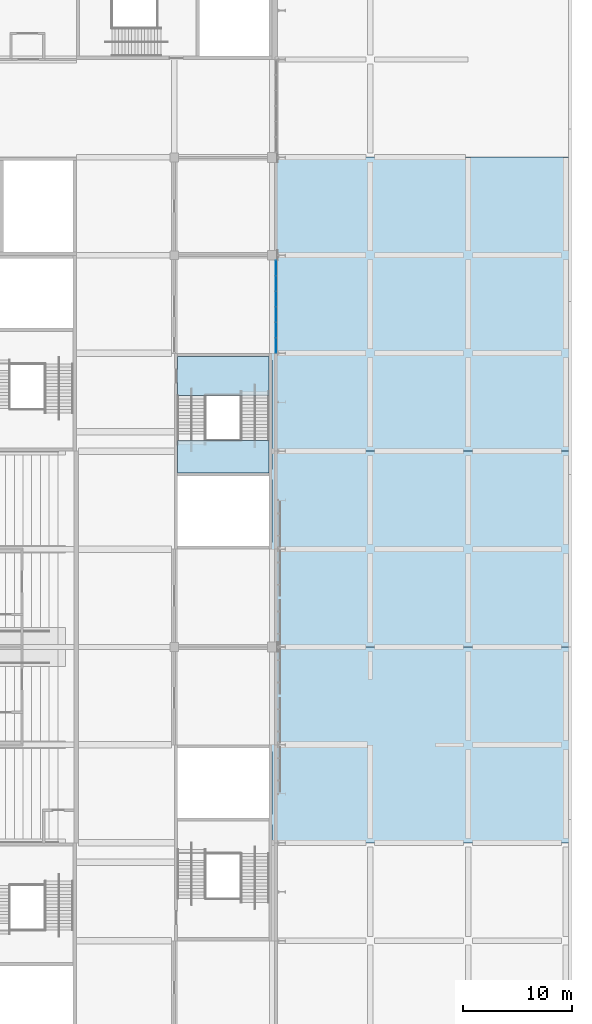
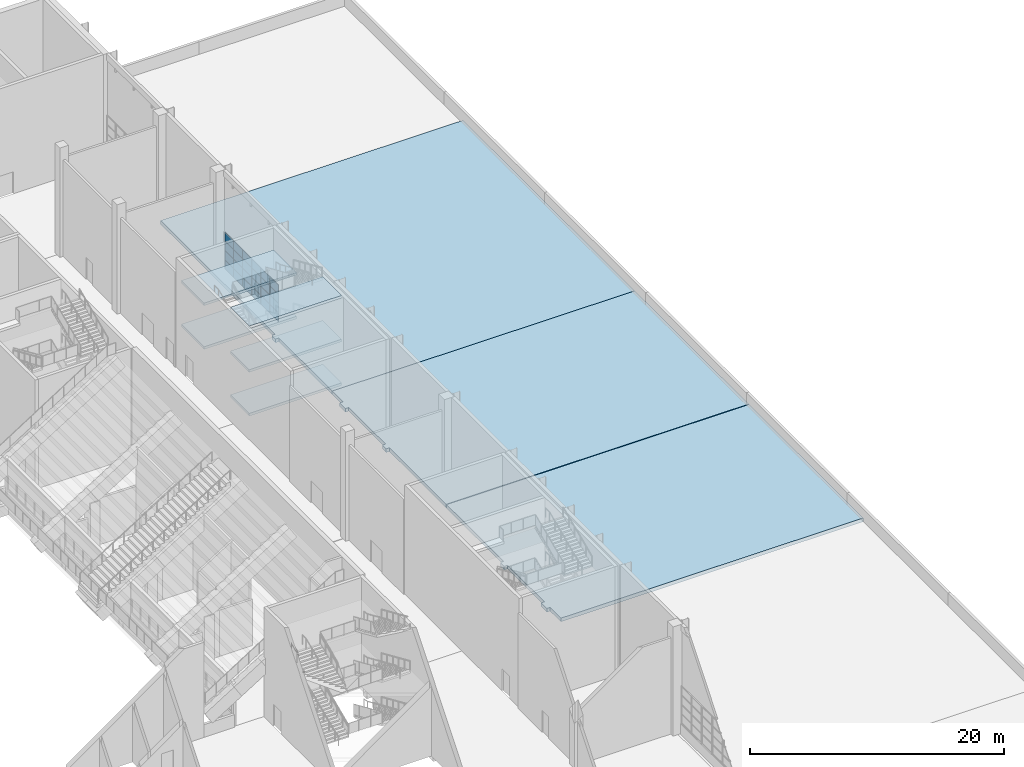
# One storey, part 76 of 182: 24 plates, 8 slabs, 2 elements without a shape of their own.
"""IFC4 building model written with IfcOpenShell, lengths in metres."""

from ifc_helpers import new_model, si_unit, direction, frame, origin, origin_2d, place, context, subcontext, project, spatial, polyline, rectangle, outline, extrude, material, layer, layer_set, type_object, element, aggregate, save


model = new_model("IFC4")

# Units and contexts
model_context = context("Model", 3, precision=1e-05, world=origin(), true_north=direction((0.0, 1.0)))
body_context = subcontext(model_context, "Body", "Model", "MODEL_VIEW")
ifc_project = project(units=[si_unit("LENGTHUNIT", "METRE"), si_unit("AREAUNIT", "SQUARE_METRE"), si_unit("VOLUMEUNIT", "CUBIC_METRE"), si_unit("PLANEANGLEUNIT", "RADIAN"), si_unit("MASSUNIT", "GRAM", prefix="KILO")], contexts=[model_context])

# Site, building, storey
site_placement = place(None, origin())
site = spatial("IfcSite", under=ifc_project, at=site_placement, CompositionType="ELEMENT")
building_placement = place(site_placement, origin())
building = spatial("IfcBuilding", under=site, at=building_placement, Name="Silverbay Arena", CompositionType="ELEMENT")
storey_placement = place(building_placement, frame((0.0, 0.0, 11.5)))
storey = spatial("IfcBuildingStorey", under=building, at=storey_placement, Name="L02", CompositionType="ELEMENT", Elevation=11.5)

# Curtain wall, plates
ifc_material_1 = material(Name="Aluminium framed curtain wall", Category="aluminium")
curtain_wall_type = type_object("IfcCurtainWallType", Name="Curtain wall 8550 x 3600", PredefinedType="NOTDEFINED", material=ifc_material_1)
curtain_wall_placement = place(storey_placement, origin())
curtain_wall = element("IfcCurtainWall", 1, at=curtain_wall_placement, inside=storey, type_object=curtain_wall_type, Name="East curtain wall L02 bay 11", PredefinedType="NOTDEFINED")
ifc_material_2 = material(Name="Laminated glass", Category="glass")
ifc_layer_1 = layer(ifc_material_2, 0.035888671875)
ifc_layer_set_1 = layer_set([ifc_layer_1], Name="Laminated glass")
plate_type = type_object("IfcPlateType", Name="Glass panel 36", PredefinedType="CURTAIN_PANEL", material=ifc_layer_set_1)
plate_1_placement = place(storey_placement, frame((207.35009765625, 108.7275390625, 1.0498046875), z_axis=(0.0, 0.0, 1.0), x_axis=(0.0, 1.0, 0.0)))
plate_1 = element("IfcPlate", 2, at=plate_1_placement, type_object=plate_type, Name="CW10 panel 1.1", PredefinedType="CURTAIN_PANEL", context=body_context, shape_type="SweptSolid", body=[
    extrude(rectangle(XDim=1.3349609375, YDim=0.035888671875, at=origin_2d()), origin(), (0.0, 0.0, 1.0), 0.824951171875),
])
plate_2_placement = place(storey_placement, frame((207.35009765625, 108.7275390625, 1.925048828125), z_axis=(0.0, 0.0, 1.0), x_axis=(0.0, 1.0, 0.0)))
plate_2 = element("IfcPlate", 3, at=plate_2_placement, type_object=plate_type, Name="CW10 panel 1.2", PredefinedType="CURTAIN_PANEL", context=body_context, shape_type="SweptSolid", body=[
    extrude(rectangle(XDim=1.3349609375, YDim=0.035888671875, at=origin_2d()), origin(), (0.0, 0.0, 1.0), 0.85009765625),
])
plate_3_placement = place(storey_placement, frame((207.35009765625, 108.7275390625, 2.824951171875), z_axis=(0.0, 0.0, 1.0), x_axis=(0.0, 1.0, 0.0)))
plate_3 = element("IfcPlate", 4, at=plate_3_placement, type_object=plate_type, Name="CW10 panel 1.3", PredefinedType="CURTAIN_PANEL", context=body_context, shape_type="SweptSolid", body=[
    extrude(rectangle(XDim=1.3349609375, YDim=0.035888671875, at=origin_2d()), origin(), (0.0, 0.0, 1.0), 0.85009765625),
])
plate_4_placement = place(storey_placement, frame((207.35009765625, 108.7275390625, 3.72509765625), z_axis=(0.0, 0.0, 1.0), x_axis=(0.0, 1.0, 0.0)))
plate_4 = element("IfcPlate", 5, at=plate_4_placement, type_object=plate_type, Name="CW10 panel 1.4", PredefinedType="CURTAIN_PANEL", context=body_context, shape_type="SweptSolid", body=[
    extrude(rectangle(XDim=1.3349609375, YDim=0.035888671875, at=origin_2d()), origin(), (0.0, 0.0, 1.0), 0.824951171875),
])
plate_5_placement = place(storey_placement, frame((207.35009765625, 110.137451171875, 1.0498046875), z_axis=(0.0, 0.0, 1.0), x_axis=(0.0, 1.0, 0.0)))
plate_5 = element("IfcPlate", 6, at=plate_5_placement, type_object=plate_type, Name="CW10 panel 2.1", PredefinedType="CURTAIN_PANEL", context=body_context, shape_type="SweptSolid", body=[
    extrude(rectangle(XDim=1.364990234375, YDim=0.035888671875, at=origin_2d()), origin(), (0.0, 0.0, 1.0), 0.824951171875),
])
plate_6_placement = place(storey_placement, frame((207.35009765625, 110.137451171875, 1.925048828125), z_axis=(0.0, 0.0, 1.0), x_axis=(0.0, 1.0, 0.0)))
plate_6 = element("IfcPlate", 7, at=plate_6_placement, type_object=plate_type, Name="CW10 panel 2.2", PredefinedType="CURTAIN_PANEL", context=body_context, shape_type="SweptSolid", body=[
    extrude(rectangle(XDim=1.364990234375, YDim=0.035888671875, at=origin_2d()), origin(), (0.0, 0.0, 1.0), 0.85009765625),
])
plate_7_placement = place(storey_placement, frame((207.35009765625, 110.137451171875, 2.824951171875), z_axis=(0.0, 0.0, 1.0), x_axis=(0.0, 1.0, 0.0)))
plate_7 = element("IfcPlate", 8, at=plate_7_placement, type_object=plate_type, Name="CW10 panel 2.3", PredefinedType="CURTAIN_PANEL", context=body_context, shape_type="SweptSolid", body=[
    extrude(rectangle(XDim=1.364990234375, YDim=0.035888671875, at=origin_2d()), origin(), (0.0, 0.0, 1.0), 0.85009765625),
])
plate_8_placement = place(storey_placement, frame((207.35009765625, 110.137451171875, 3.72509765625), z_axis=(0.0, 0.0, 1.0), x_axis=(0.0, 1.0, 0.0)))
plate_8 = element("IfcPlate", 9, at=plate_8_placement, type_object=plate_type, Name="CW10 panel 2.4", PredefinedType="CURTAIN_PANEL", context=body_context, shape_type="SweptSolid", body=[
    extrude(rectangle(XDim=1.364990234375, YDim=0.035888671875, at=origin_2d()), origin(), (0.0, 0.0, 1.0), 0.824951171875),
])
plate_9_placement = place(storey_placement, frame((207.35009765625, 111.5625, 1.0498046875), z_axis=(0.0, 0.0, 1.0), x_axis=(0.0, 1.0, 0.0)))
plate_9 = element("IfcPlate", 10, at=plate_9_placement, type_object=plate_type, Name="CW10 panel 3.1", PredefinedType="CURTAIN_PANEL", context=body_context, shape_type="SweptSolid", body=[
    extrude(rectangle(XDim=1.364990234375, YDim=0.035888671875, at=origin_2d()), origin(), (0.0, 0.0, 1.0), 0.824951171875),
])
plate_10_placement = place(storey_placement, frame((207.35009765625, 111.5625, 1.925048828125), z_axis=(0.0, 0.0, 1.0), x_axis=(0.0, 1.0, 0.0)))
plate_10 = element("IfcPlate", 11, at=plate_10_placement, type_object=plate_type, Name="CW10 panel 3.2", PredefinedType="CURTAIN_PANEL", context=body_context, shape_type="SweptSolid", body=[
    extrude(rectangle(XDim=1.364990234375, YDim=0.035888671875, at=origin_2d()), origin(), (0.0, 0.0, 1.0), 0.85009765625),
])
plate_11_placement = place(storey_placement, frame((207.35009765625, 111.5625, 2.824951171875), z_axis=(0.0, 0.0, 1.0), x_axis=(0.0, 1.0, 0.0)))
plate_11 = element("IfcPlate", 12, at=plate_11_placement, type_object=plate_type, Name="CW10 panel 3.3", PredefinedType="CURTAIN_PANEL", context=body_context, shape_type="SweptSolid", body=[
    extrude(rectangle(XDim=1.364990234375, YDim=0.035888671875, at=origin_2d()), origin(), (0.0, 0.0, 1.0), 0.85009765625),
])
plate_12_placement = place(storey_placement, frame((207.35009765625, 111.5625, 3.72509765625), z_axis=(0.0, 0.0, 1.0), x_axis=(0.0, 1.0, 0.0)))
plate_12 = element("IfcPlate", 13, at=plate_12_placement, type_object=plate_type, Name="CW10 panel 3.4", PredefinedType="CURTAIN_PANEL", context=body_context, shape_type="SweptSolid", body=[
    extrude(rectangle(XDim=1.364990234375, YDim=0.035888671875, at=origin_2d()), origin(), (0.0, 0.0, 1.0), 0.824951171875),
])
plate_13_placement = place(storey_placement, frame((207.35009765625, 112.987548828125, 1.0498046875), z_axis=(0.0, 0.0, 1.0), x_axis=(0.0, 1.0, 0.0)))
plate_13 = element("IfcPlate", 14, at=plate_13_placement, type_object=plate_type, Name="CW10 panel 4.1", PredefinedType="CURTAIN_PANEL", context=body_context, shape_type="SweptSolid", body=[
    extrude(rectangle(XDim=1.364990234375, YDim=0.035888671875, at=origin_2d()), origin(), (0.0, 0.0, 1.0), 0.824951171875),
])
plate_14_placement = place(storey_placement, frame((207.35009765625, 112.987548828125, 1.925048828125), z_axis=(0.0, 0.0, 1.0), x_axis=(0.0, 1.0, 0.0)))
plate_14 = element("IfcPlate", 15, at=plate_14_placement, type_object=plate_type, Name="CW10 panel 4.2", PredefinedType="CURTAIN_PANEL", context=body_context, shape_type="SweptSolid", body=[
    extrude(rectangle(XDim=1.364990234375, YDim=0.035888671875, at=origin_2d()), origin(), (0.0, 0.0, 1.0), 0.85009765625),
])
plate_15_placement = place(storey_placement, frame((207.35009765625, 112.987548828125, 2.824951171875), z_axis=(0.0, 0.0, 1.0), x_axis=(0.0, 1.0, 0.0)))
plate_15 = element("IfcPlate", 16, at=plate_15_placement, type_object=plate_type, Name="CW10 panel 4.3", PredefinedType="CURTAIN_PANEL", context=body_context, shape_type="SweptSolid", body=[
    extrude(rectangle(XDim=1.364990234375, YDim=0.035888671875, at=origin_2d()), origin(), (0.0, 0.0, 1.0), 0.85009765625),
])
plate_16_placement = place(storey_placement, frame((207.35009765625, 112.987548828125, 3.72509765625), z_axis=(0.0, 0.0, 1.0), x_axis=(0.0, 1.0, 0.0)))
plate_16 = element("IfcPlate", 17, at=plate_16_placement, type_object=plate_type, Name="CW10 panel 4.4", PredefinedType="CURTAIN_PANEL", context=body_context, shape_type="SweptSolid", body=[
    extrude(rectangle(XDim=1.364990234375, YDim=0.035888671875, at=origin_2d()), origin(), (0.0, 0.0, 1.0), 0.824951171875),
])
plate_17_placement = place(storey_placement, frame((207.35009765625, 114.41259765625, 1.0498046875), z_axis=(0.0, 0.0, 1.0), x_axis=(0.0, 1.0, 0.0)))
plate_17 = element("IfcPlate", 18, at=plate_17_placement, type_object=plate_type, Name="CW10 panel 5.1", PredefinedType="CURTAIN_PANEL", context=body_context, shape_type="SweptSolid", body=[
    extrude(rectangle(XDim=1.364990234375, YDim=0.035888671875, at=origin_2d()), origin(), (0.0, 0.0, 1.0), 0.824951171875),
])
plate_18_placement = place(storey_placement, frame((207.35009765625, 114.41259765625, 1.925048828125), z_axis=(0.0, 0.0, 1.0), x_axis=(0.0, 1.0, 0.0)))
plate_18 = element("IfcPlate", 19, at=plate_18_placement, type_object=plate_type, Name="CW10 panel 5.2", PredefinedType="CURTAIN_PANEL", context=body_context, shape_type="SweptSolid", body=[
    extrude(rectangle(XDim=1.364990234375, YDim=0.035888671875, at=origin_2d()), origin(), (0.0, 0.0, 1.0), 0.85009765625),
])
plate_19_placement = place(storey_placement, frame((207.35009765625, 114.41259765625, 2.824951171875), z_axis=(0.0, 0.0, 1.0), x_axis=(0.0, 1.0, 0.0)))
plate_19 = element("IfcPlate", 20, at=plate_19_placement, type_object=plate_type, Name="CW10 panel 5.3", PredefinedType="CURTAIN_PANEL", context=body_context, shape_type="SweptSolid", body=[
    extrude(rectangle(XDim=1.364990234375, YDim=0.035888671875, at=origin_2d()), origin(), (0.0, 0.0, 1.0), 0.85009765625),
])
plate_20_placement = place(storey_placement, frame((207.35009765625, 114.41259765625, 3.72509765625), z_axis=(0.0, 0.0, 1.0), x_axis=(0.0, 1.0, 0.0)))
plate_20 = element("IfcPlate", 21, at=plate_20_placement, type_object=plate_type, Name="CW10 panel 5.4", PredefinedType="CURTAIN_PANEL", context=body_context, shape_type="SweptSolid", body=[
    extrude(rectangle(XDim=1.364990234375, YDim=0.035888671875, at=origin_2d()), origin(), (0.0, 0.0, 1.0), 0.824951171875),
])
plate_21_placement = place(storey_placement, frame((207.35009765625, 115.822509765625, 1.0498046875), z_axis=(0.0, 0.0, 1.0), x_axis=(0.0, 1.0, 0.0)))
plate_21 = element("IfcPlate", 22, at=plate_21_placement, type_object=plate_type, Name="CW10 panel 6.1", PredefinedType="CURTAIN_PANEL", context=body_context, shape_type="SweptSolid", body=[
    extrude(rectangle(XDim=1.3349609375, YDim=0.035888671875, at=origin_2d()), origin(), (0.0, 0.0, 1.0), 0.824951171875),
])
plate_22_placement = place(storey_placement, frame((207.35009765625, 115.822509765625, 1.925048828125), z_axis=(0.0, 0.0, 1.0), x_axis=(0.0, 1.0, 0.0)))
plate_22 = element("IfcPlate", 23, at=plate_22_placement, type_object=plate_type, Name="CW10 panel 6.2", PredefinedType="CURTAIN_PANEL", context=body_context, shape_type="SweptSolid", body=[
    extrude(rectangle(XDim=1.3349609375, YDim=0.035888671875, at=origin_2d()), origin(), (0.0, 0.0, 1.0), 0.85009765625),
])
plate_23_placement = place(storey_placement, frame((207.35009765625, 115.822509765625, 2.824951171875), z_axis=(0.0, 0.0, 1.0), x_axis=(0.0, 1.0, 0.0)))
plate_23 = element("IfcPlate", 24, at=plate_23_placement, type_object=plate_type, Name="CW10 panel 6.3", PredefinedType="CURTAIN_PANEL", context=body_context, shape_type="SweptSolid", body=[
    extrude(rectangle(XDim=1.3349609375, YDim=0.035888671875, at=origin_2d()), origin(), (0.0, 0.0, 1.0), 0.85009765625),
])
plate_24_placement = place(storey_placement, frame((207.35009765625, 115.822509765625, 3.72509765625), z_axis=(0.0, 0.0, 1.0), x_axis=(0.0, 1.0, 0.0)))
plate_24 = element("IfcPlate", 25, at=plate_24_placement, type_object=plate_type, Name="CW10 panel 6.4", PredefinedType="CURTAIN_PANEL", context=body_context, shape_type="SweptSolid", body=[
    extrude(rectangle(XDim=1.3349609375, YDim=0.035888671875, at=origin_2d()), origin(), (0.0, 0.0, 1.0), 0.824951171875),
])
aggregate(curtain_wall, [plate_1, plate_2, plate_3, plate_4, plate_5, plate_6, plate_7, plate_8, plate_9, plate_10, plate_11, plate_12, plate_13, plate_14, plate_15, plate_16, plate_17, plate_18, plate_19, plate_20, plate_21, plate_22, plate_23, plate_24])

# Slabs
ifc_material_3 = material(Name="Concrete Grade C45", Category="concrete")
ifc_layer_2 = layer(ifc_material_3, 0.35009765625)
ifc_layer_set_2 = layer_set([ifc_layer_2], Name="Concrete Grade C45")
slab_type_1 = type_object("IfcSlabType", Name="RC roof slab 350", PredefinedType="ROOF", material=ifc_layer_set_2)
slab_1_placement = place(storey_placement, frame((0.0, 0.0, -0.35009765625)))
element("IfcSlab", 26, at=slab_1_placement, inside=storey, type_object=slab_type_1, Name="Roof slab L02 unit 6", PredefinedType="ROOF", context=body_context, shape_type="SweptSolid", body=[
    extrude(outline(polyline([(206.699951171875, 65.60009765625), (207.0, 65.60009765625), (207.0, 71.39990234375), (206.699951171875, 71.39990234375), (206.699951171875, 72.0), (207.0, 72.0), (207.0, 81.0), (234.5, 81.0), (234.5, 63.0), (207.0, 63.0), (207.0, 64.699951171875), (206.699951171875, 64.699951171875), (206.699951171875, 65.60009765625)])), origin(), (0.0, 0.0, 1.0), 0.35009765625),
])
slab_2_placement = place(storey_placement, frame((0.0, 0.0, -0.35009765625)))
element("IfcSlab", 27, at=slab_2_placement, inside=storey, type_object=slab_type_1, Name="Roof slab L02 unit 6 B", PredefinedType="ROOF", context=body_context, shape_type="SweptSolid", body=[
    extrude(outline(polyline([(207.0, 90.0), (206.699951171875, 90.0), (206.699951171875, 90.60009765625), (207.0, 90.60009765625), (207.0, 96.39990234375), (206.699951171875, 96.39990234375), (206.699951171875, 97.300048828125), (207.0, 97.300048828125), (207.0, 99.0), (234.5, 99.0), (234.5, 81.050048828125), (207.0, 81.050048828125), (207.0, 90.0)])), origin(), (0.0, 0.0, 1.0), 0.35009765625),
])
slab_3_placement = place(storey_placement, frame((0.0, 0.0, -0.35009765625)))
element("IfcSlab", 28, at=slab_3_placement, inside=storey, type_object=slab_type_1, Name="Roof slab L02 unit 8", PredefinedType="ROOF", context=body_context, shape_type="SweptSolid", body=[
    extrude(outline(polyline([(206.699951171875, 108.0), (207.0, 108.0), (207.0, 126.02490234375), (234.5, 126.02490234375), (234.5, 99.0), (207.0, 99.0), (207.0, 107.39990234375), (206.699951171875, 107.39990234375), (206.699951171875, 108.0)])), origin(), (0.0, 0.0, 1.0), 0.35009765625),
])

# Stair, slabs
ifc_material_4 = material(Name="Concrete Grade C45", Category="concrete")
stair_type = type_object("IfcStairType", Name="Stair 2600 wide 80 risers 131.2 x 300", PredefinedType="HALF_TURN_STAIR", material=ifc_material_4)
stair_placement = place(storey_placement, origin())
stair = element("IfcStair", 29, at=stair_placement, inside=storey, type_object=stair_type, Name="Stair ST-E2 L02 to L03", PredefinedType="HALF_TURN_STAIR")
ifc_material_5 = material(Name="Concrete Grade C45", Category="concrete")
ifc_layer_3 = layer(ifc_material_5, 0.25)
ifc_layer_set_3 = layer_set([ifc_layer_3], Name="Concrete Grade C45")
slab_type_2 = type_object("IfcSlabType", Name="Stair landing RC 250", PredefinedType="LANDING", material=ifc_layer_set_3)
slab_4_placement = place(storey_placement, frame((0.0, 0.0, 1.85009765625)))
slab_4 = element("IfcSlab", 30, at=slab_4_placement, type_object=slab_type_2, Name="Stair ST-E2 L02 to L03 landing 1", PredefinedType="LANDING", context=body_context, shape_type="SweptSolid", body=[
    extrude(outline(polyline([(198.300048828125, 99.97412109375), (198.300048828125, 97.0), (206.699951171875, 97.0), (206.699951171875, 99.97412109375), (198.300048828125, 99.97412109375)])), origin(), (0.0, 0.0, 1.0), 0.25),
])
slab_5_placement = place(storey_placement, frame((0.0, 0.0, 3.949951171875)))
slab_5 = element("IfcSlab", 31, at=slab_5_placement, type_object=slab_type_2, Name="Stair ST-E2 L02 to L03 landing 2", PredefinedType="LANDING", context=body_context, shape_type="SweptSolid", body=[
    extrude(outline(polyline([(198.300048828125, 107.699951171875), (198.300048828125, 104.10009765625), (206.699951171875, 104.10009765625), (206.699951171875, 107.699951171875), (198.300048828125, 107.699951171875)])), origin(), (0.0, 0.0, 1.0), 0.25),
])
slab_6_placement = place(storey_placement, frame((0.0, 0.0, 6.050048828125)))
slab_6 = element("IfcSlab", 32, at=slab_6_placement, type_object=slab_type_2, Name="Stair ST-E2 L02 to L03 landing 3", PredefinedType="LANDING", context=body_context, shape_type="SweptSolid", body=[
    extrude(outline(polyline([(198.300048828125, 99.97412109375), (198.300048828125, 97.0), (206.699951171875, 97.0), (206.699951171875, 99.97412109375), (198.300048828125, 99.97412109375)])), origin(), (0.0, 0.0, 1.0), 0.25),
])
slab_7_placement = place(storey_placement, frame((0.0, 0.0, 8.14990234375)))
slab_7 = element("IfcSlab", 33, at=slab_7_placement, type_object=slab_type_2, Name="Stair ST-E2 L02 to L03 landing 4", PredefinedType="LANDING", context=body_context, shape_type="SweptSolid", body=[
    extrude(outline(polyline([(198.300048828125, 107.699951171875), (198.300048828125, 104.10009765625), (206.699951171875, 104.10009765625), (206.699951171875, 107.699951171875), (198.300048828125, 107.699951171875)])), origin(), (0.0, 0.0, 1.0), 0.25),
])
slab_8_placement = place(storey_placement, frame((0.0, 0.0, 10.25)))
slab_8 = element("IfcSlab", 34, at=slab_8_placement, type_object=slab_type_2, Name="Stair ST-E2 L02 to L03 landing 5", PredefinedType="LANDING", context=body_context, shape_type="SweptSolid", body=[
    extrude(outline(polyline([(198.300048828125, 99.97412109375), (198.300048828125, 97.0), (206.699951171875, 97.0), (206.699951171875, 99.97412109375), (198.300048828125, 99.97412109375)])), origin(), (0.0, 0.0, 1.0), 0.25),
])
aggregate(stair, [slab_4, slab_5, slab_6, slab_7, slab_8])

save(model, "model.ifc")
